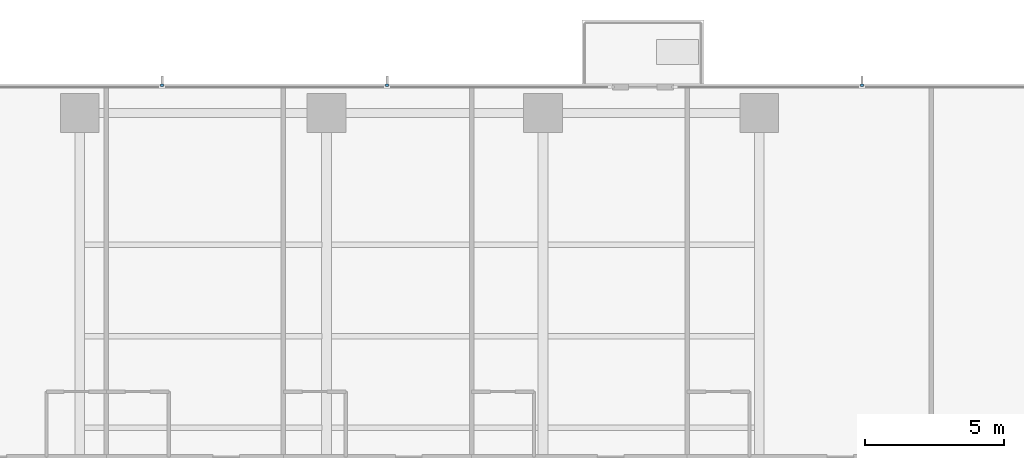
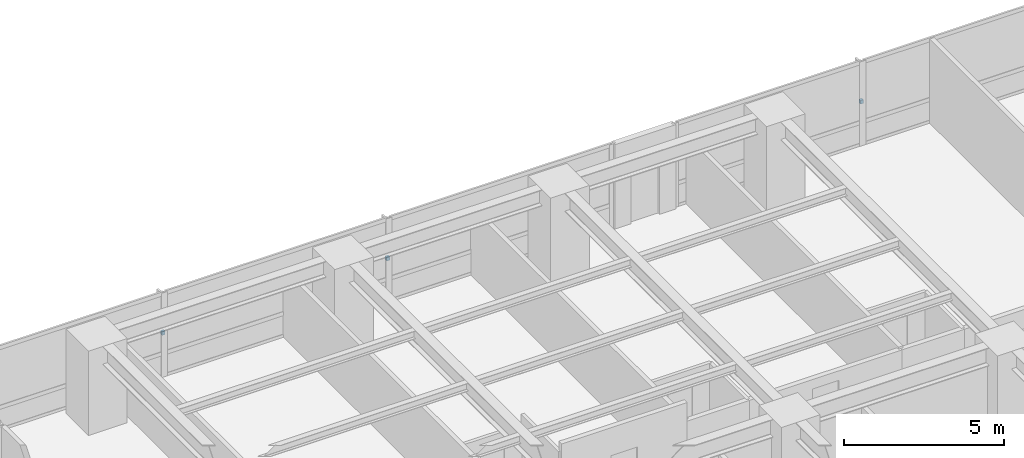
# One storey, part 14 of 17: 3 discrete accessories.
"""IFC4 building model written with IfcOpenShell, lengths in metres."""

from ifc_helpers import new_model, si_unit, direction, frame, origin, place, context, subcontext, project, spatial, polyline, outline, extrude, material, type_object, element, save


model = new_model("IFC4")

# Units and contexts
model_context = context("Model", 3, precision=1e-05, world=origin(), true_north=direction((0.0, 1.0)))
body_context = subcontext(model_context, "Body", "Model", "MODEL_VIEW")
ifc_project = project(units=[si_unit("LENGTHUNIT", "METRE"), si_unit("AREAUNIT", "SQUARE_METRE"), si_unit("VOLUMEUNIT", "CUBIC_METRE"), si_unit("PLANEANGLEUNIT", "RADIAN"), si_unit("MASSUNIT", "GRAM", prefix="KILO")], contexts=[model_context])

# Site, building, storey
site_placement = place(None, origin())
site = spatial("IfcSite", under=ifc_project, at=site_placement, CompositionType="ELEMENT")
building_placement = place(site_placement, origin())
building = spatial("IfcBuilding", under=site, at=building_placement, Name="Qalmaran Belvedere Hotel", CompositionType="ELEMENT")
storey_placement = place(building_placement, frame((0.0, 0.0, 40.39990234375)))
storey = spatial("IfcBuildingStorey", under=building, at=storey_placement, Name="L09", CompositionType="ELEMENT", Elevation=40.39990234375)

# Discrete accessories
ifc_material = material(Name="Stainless Steel 1.4401", Category="steel")
discrete_accessory_type = type_object("IfcDiscreteAccessoryType", Name="BRK-FIN-SS316", PredefinedType="BRACKET", material=ifc_material)
discrete_accessory_1_placement = place(storey_placement, frame((0.0, 0.0, 1.56005859375)))
element("IfcDiscreteAccessory", 1, at=discrete_accessory_1_placement, inside=storey, type_object=discrete_accessory_type, Name="L09 Fin Bracket 1", PredefinedType="BRACKET", context=body_context, shape_type="SweptSolid", body=[
    extrude(outline(polyline([(31.438232421875, 48.39501953125), (31.438232421875, 48.492431640625), (31.328369140625, 48.492431640625), (31.328369140625, 48.39501953125), (31.438232421875, 48.39501953125)])), origin(), (0.0, 0.0, 1.0), 0.14013671875),
])
discrete_accessory_2_placement = place(storey_placement, frame((0.0, 0.0, 1.56005859375)))
element("IfcDiscreteAccessory", 2, at=discrete_accessory_2_placement, inside=storey, type_object=discrete_accessory_type, Name="L09 Fin Bracket 2", PredefinedType="BRACKET", context=body_context, shape_type="SweptSolid", body=[
    extrude(outline(polyline([(23.32177734375, 48.39501953125), (23.32177734375, 48.492431640625), (23.211669921875, 48.492431640625), (23.211669921875, 48.39501953125), (23.32177734375, 48.39501953125)])), origin(), (0.0, 0.0, 1.0), 0.14013671875),
])
discrete_accessory_3_placement = place(storey_placement, frame((0.0, 0.0, 1.56005859375)))
element("IfcDiscreteAccessory", 3, at=discrete_accessory_3_placement, inside=storey, type_object=discrete_accessory_type, Name="L09 Fin Bracket 1", PredefinedType="BRACKET", context=body_context, shape_type="SweptSolid", body=[
    extrude(outline(polyline([(48.554931640625, 48.39501953125), (48.554931640625, 48.492431640625), (48.445068359375, 48.492431640625), (48.445068359375, 48.39501953125), (48.554931640625, 48.39501953125)])), origin(), (0.0, 0.0, 1.0), 0.14013671875),
])

save(model, "model.ifc")
